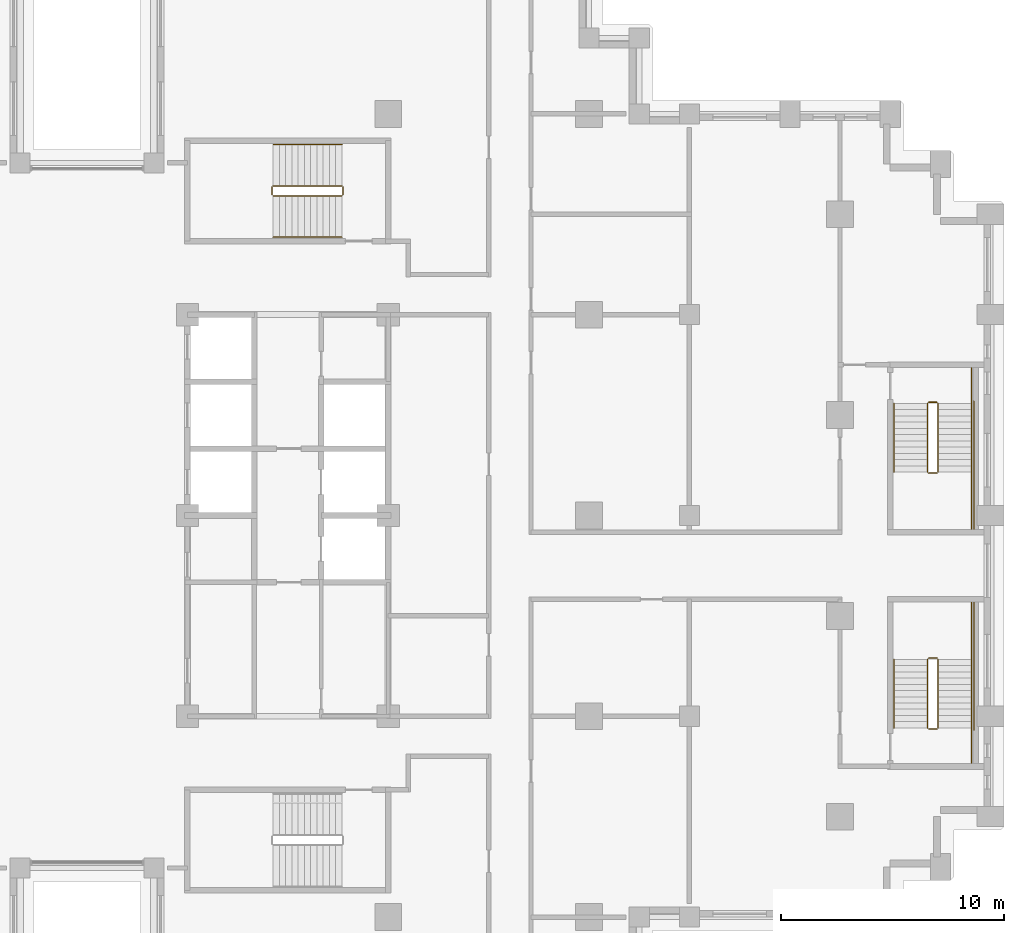
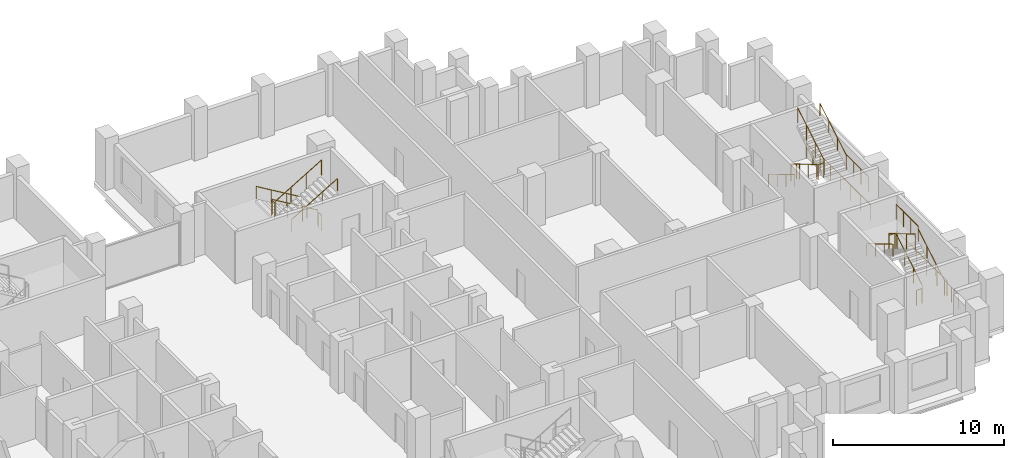
# One storey, part 15 of 15: 3 railings.
"""IFC4 building model written with IfcOpenShell, lengths in metres."""

from ifc_helpers import new_model, si_unit, direction, frame, origin, origin_2d, place, context, subcontext, project, spatial, circle, extrude, material, type_object, element, save


model = new_model("IFC4")

# Units and contexts
model_context = context("Model", 3, precision=1e-05, world=origin(), true_north=direction((0.0, 1.0)))
body_context = subcontext(model_context, "Body", "Model", "MODEL_VIEW")
ifc_project = project(units=[si_unit("LENGTHUNIT", "METRE"), si_unit("AREAUNIT", "SQUARE_METRE"), si_unit("VOLUMEUNIT", "CUBIC_METRE"), si_unit("PLANEANGLEUNIT", "RADIAN"), si_unit("MASSUNIT", "GRAM", prefix="KILO")], contexts=[model_context])

# Site, building, storey
site_placement = place(None, origin())
site = spatial("IfcSite", under=ifc_project, at=site_placement, CompositionType="ELEMENT")
building_placement = place(site_placement, origin())
building = spatial("IfcBuilding", under=site, at=building_placement, Name="Corbelhall Arena Tower", CompositionType="ELEMENT")
storey_placement = place(building_placement, frame((0.0, 0.0, 100.0)))
storey = spatial("IfcBuildingStorey", under=building, at=storey_placement, Name="L17", CompositionType="ELEMENT", Elevation=100.0)

# Railings
ifc_material = material(Name="Steel ASTM A500 Gr C", Category="steel")
railing_type = type_object("IfcRailingType", Name="IN-GD-1100", PredefinedType="GUARDRAIL", material=ifc_material)
railing_1_placement = place(storey_placement, frame((11.425048828125, 14.77490234375, 0.166748046875)))
element("IfcRailing", 1, at=railing_1_placement, inside=storey, type_object=railing_type, Name="L17 ST3 stair guards and handrails", PredefinedType="GUARDRAIL", context=body_context, shape_type="SweptSolid", body=[
    extrude(circle(Radius=0.02392578125, at=origin_2d()), frame((0.0, 0.0, 1.076171875), z_axis=(-0.859308565015, 0.0, 0.511457515432), x_axis=(0.0, -1.0, 0.0)), (0.0, 0.0, 1.0), 3.58447265625),
    extrude(circle(Radius=0.02392578125, at=origin_2d()), frame((-3.130126953125, -0.0498046875, 2.9091796875), z_axis=(0.0, -1.0, 0.0), x_axis=(1.0, 0.0, 0.0)), (0.0, 0.0, 1.0), 0.35009765625),
    extrude(circle(Radius=0.02392578125, at=origin_2d()), frame((-3.080078125, -0.449951171875, 3.076171875), z_axis=(0.859308565015, 0.0, 0.511457515432), x_axis=(0.0, 1.0, 0.0)), (0.0, 0.0, 1.0), 3.58447265625),
    extrude(circle(Radius=0.02392578125, at=origin_2d()), frame((0.050048828125, -0.0498046875, 0.9091796875), z_axis=(0.0, -1.0, 0.0), x_axis=(1.0, 0.0, 0.0)), (0.0, 0.0, 1.0), 0.35009765625),
    extrude(circle(Radius=0.02392578125, at=origin_2d()), frame((0.0, 1.85009765625, 0.8759765625), z_axis=(-0.859308565015, 0.0, 0.511457515432), x_axis=(0.0, -1.0, 0.0)), (0.0, 0.0, 1.0), 3.58447265625),
    extrude(circle(Radius=0.02392578125, at=origin_2d()), frame((-3.080078125, -2.2998046875, 2.8759765625), z_axis=(0.859308565015, 0.0, 0.511457515432), x_axis=(0.0, 1.0, 0.0)), (0.0, 0.0, 1.0), 3.58447265625),
    extrude(circle(Radius=0.02099609375, at=origin_2d()), origin(), (0.0, 0.0, 1.0), 1.052001953125),
    extrude(circle(Radius=0.02099609375, at=origin_2d()), frame((-1.026611328125, 0.0, 0.611083984375)), (0.0, 0.0, 1.0), 1.052001953125),
    extrude(circle(Radius=0.02099609375, at=origin_2d()), frame((-2.053466796875, 0.0, 1.22216796875)), (0.0, 0.0, 1.0), 1.052001953125),
    extrude(circle(Radius=0.02099609375, at=origin_2d()), frame((-3.080078125, 0.0, 1.833251953125)), (0.0, 0.0, 1.0), 1.052001953125),
    extrude(circle(Radius=0.02099609375, at=origin_2d()), frame((-3.130126953125, -0.0498046875, 1.833251953125)), (0.0, 0.0, 1.0), 1.052001953125),
    extrude(circle(Radius=0.02099609375, at=origin_2d()), frame((-3.130126953125, -0.39990234375, 1.833251953125)), (0.0, 0.0, 1.0), 1.052001953125),
    extrude(circle(Radius=0.02099609375, at=origin_2d()), frame((-3.080078125, -0.449951171875, 2.0)), (0.0, 0.0, 1.0), 1.052001953125),
    extrude(circle(Radius=0.02099609375, at=origin_2d()), frame((-2.053466796875, -0.449951171875, 2.611083984375)), (0.0, 0.0, 1.0), 1.052001953125),
    extrude(circle(Radius=0.02099609375, at=origin_2d()), frame((-1.026611328125, -0.449951171875, 3.22216796875)), (0.0, 0.0, 1.0), 1.052001953125),
    extrude(circle(Radius=0.02099609375, at=origin_2d()), frame((0.0, -0.449951171875, 3.833251953125)), (0.0, 0.0, 1.0), 1.052001953125),
    extrude(circle(Radius=0.02099609375, at=origin_2d()), frame((0.050048828125, -0.0498046875, -0.166748046875)), (0.0, 0.0, 1.0), 1.052001953125),
    extrude(circle(Radius=0.02099609375, at=origin_2d()), frame((0.050048828125, -0.39990234375, -0.166748046875)), (0.0, 0.0, 1.0), 1.052001953125),
    extrude(circle(Radius=0.02099609375, at=origin_2d()), frame((0.0, 1.85009765625, 0.0)), (0.0, 0.0, 1.0), 0.851806640625),
    extrude(circle(Radius=0.02099609375, at=origin_2d()), frame((-1.026611328125, 1.85009765625, 0.611083984375)), (0.0, 0.0, 1.0), 0.851806640625),
    extrude(circle(Radius=0.02099609375, at=origin_2d()), frame((-2.053466796875, 1.85009765625, 1.22216796875)), (0.0, 0.0, 1.0), 0.851806640625),
    extrude(circle(Radius=0.02099609375, at=origin_2d()), frame((-3.080078125, 1.85009765625, 1.833251953125)), (0.0, 0.0, 1.0), 0.851806640625),
    extrude(circle(Radius=0.02099609375, at=origin_2d()), frame((-3.080078125, -2.2998046875, 2.0)), (0.0, 0.0, 1.0), 0.851806640625),
    extrude(circle(Radius=0.02099609375, at=origin_2d()), frame((-2.053466796875, -2.2998046875, 2.611083984375)), (0.0, 0.0, 1.0), 0.851806640625),
    extrude(circle(Radius=0.02099609375, at=origin_2d()), frame((-1.026611328125, -2.2998046875, 3.22216796875)), (0.0, 0.0, 1.0), 0.851806640625),
    extrude(circle(Radius=0.02099609375, at=origin_2d()), frame((0.0, -2.2998046875, 3.833251953125)), (0.0, 0.0, 1.0), 0.851806640625),
])
railing_2_placement = place(storey_placement, frame((38.14990234375, -9.52490234375, 0.166748046875)))
element("IfcRailing", 2, at=railing_2_placement, inside=storey, type_object=railing_type, Name="L17 SD1 stair guards and handrails", PredefinedType="GUARDRAIL", context=body_context, shape_type="SweptSolid", body=[
    extrude(circle(Radius=0.02392578125, at=origin_2d()), frame((0.0, 0.0, 1.076171875), z_axis=(0.0, 0.859290745958, 0.51148745235), x_axis=(-1.0, 0.0, 0.0)), (0.0, 0.0, 1.0), 3.584228515625),
    extrude(circle(Radius=0.02392578125, at=origin_2d()), frame((-0.0498046875, 3.1298828125, 2.9091796875), z_axis=(-1.0, 0.0, 0.0), x_axis=(0.0, -1.0, 0.0)), (0.0, 0.0, 1.0), 0.375),
    extrude(circle(Radius=0.02392578125, at=origin_2d()), frame((1.5, 3.079833984375, 2.9091796875), z_axis=(0.0, 1.0, 0.0), x_axis=(-1.0, 0.0, 0.0)), (0.0, 0.0, 1.0), 2.570068359375),
    extrude(circle(Radius=0.02392578125, at=origin_2d()), frame((-0.474853515625, 3.079833984375, 3.076171875), z_axis=(0.0, -0.859290745958, 0.51148745235), x_axis=(1.0, 0.0, 0.0)), (0.0, 0.0, 1.0), 3.584228515625),
    extrude(circle(Radius=0.02392578125, at=origin_2d()), frame((-0.0498046875, -0.050048828125, 0.9091796875), z_axis=(-1.0, 0.0, 0.0), x_axis=(0.0, -1.0, 0.0)), (0.0, 0.0, 1.0), 0.375),
    extrude(circle(Radius=0.02392578125, at=origin_2d()), frame((1.5, -1.60009765625, 0.9091796875), z_axis=(0.0, 1.0, 0.0), x_axis=(-1.0, 0.0, 0.0)), (0.0, 0.0, 1.0), 1.60009765625),
    extrude(circle(Radius=0.02392578125, at=origin_2d()), frame((1.60009765625, -0.10009765625, 0.9091796875), z_axis=(0.0, 1.0, 0.0), x_axis=(-1.0, 0.0, 0.0)), (0.0, 0.0, 1.0), 5.85009765625),
    extrude(circle(Radius=0.02392578125, at=origin_2d()), frame((1.5, 0.0, 0.8759765625), z_axis=(0.0, 0.859290745958, 0.51148745235), x_axis=(-1.0, 0.0, 0.0)), (0.0, 0.0, 1.0), 3.584228515625),
    extrude(circle(Radius=0.02392578125, at=origin_2d()), frame((-1.974853515625, 3.079833984375, 2.8759765625), z_axis=(0.0, -0.859290745958, 0.51148745235), x_axis=(1.0, 0.0, 0.0)), (0.0, 0.0, 1.0), 3.584228515625),
    extrude(circle(Radius=0.02099609375, at=origin_2d()), origin(), (0.0, 0.0, 1.0), 1.052001953125),
    extrude(circle(Radius=0.02099609375, at=origin_2d()), frame((0.0, 1.026611328125, 0.611083984375)), (0.0, 0.0, 1.0), 1.052001953125),
    extrude(circle(Radius=0.02099609375, at=origin_2d()), frame((0.0, 2.05322265625, 1.22216796875)), (0.0, 0.0, 1.0), 1.052001953125),
    extrude(circle(Radius=0.02099609375, at=origin_2d()), frame((0.0, 3.079833984375, 1.833251953125)), (0.0, 0.0, 1.0), 1.052001953125),
    extrude(circle(Radius=0.02099609375, at=origin_2d()), frame((-0.0498046875, 3.1298828125, 1.833251953125)), (0.0, 0.0, 1.0), 1.052001953125),
    extrude(circle(Radius=0.02099609375, at=origin_2d()), frame((-0.4248046875, 3.1298828125, 1.833251953125)), (0.0, 0.0, 1.0), 1.052001953125),
    extrude(circle(Radius=0.02099609375, at=origin_2d()), frame((1.5, 3.079833984375, 1.833251953125)), (0.0, 0.0, 1.0), 1.052001953125),
    extrude(circle(Radius=0.02099609375, at=origin_2d()), frame((1.5, 3.9365234375, 1.833251953125)), (0.0, 0.0, 1.0), 1.052001953125),
    extrude(circle(Radius=0.02099609375, at=origin_2d()), frame((1.5, 4.793212890625, 1.833251953125)), (0.0, 0.0, 1.0), 1.052001953125),
    extrude(circle(Radius=0.02099609375, at=origin_2d()), frame((1.5, 5.64990234375, 1.833251953125)), (0.0, 0.0, 1.0), 1.052001953125),
    extrude(circle(Radius=0.02099609375, at=origin_2d()), frame((-0.474853515625, 3.079833984375, 2.0)), (0.0, 0.0, 1.0), 1.052001953125),
    extrude(circle(Radius=0.02099609375, at=origin_2d()), frame((-0.474853515625, 2.05322265625, 2.611083984375)), (0.0, 0.0, 1.0), 1.052001953125),
    extrude(circle(Radius=0.02099609375, at=origin_2d()), frame((-0.474853515625, 1.026611328125, 3.22216796875)), (0.0, 0.0, 1.0), 1.052001953125),
    extrude(circle(Radius=0.02099609375, at=origin_2d()), frame((-0.474853515625, 0.0, 3.833251953125)), (0.0, 0.0, 1.0), 1.052001953125),
    extrude(circle(Radius=0.02099609375, at=origin_2d()), frame((-0.0498046875, -0.050048828125, -0.166748046875)), (0.0, 0.0, 1.0), 1.052001953125),
    extrude(circle(Radius=0.02099609375, at=origin_2d()), frame((-0.4248046875, -0.050048828125, -0.166748046875)), (0.0, 0.0, 1.0), 1.052001953125),
    extrude(circle(Radius=0.02099609375, at=origin_2d()), frame((1.5, -1.60009765625, -0.166748046875)), (0.0, 0.0, 1.0), 1.052001953125),
    extrude(circle(Radius=0.02099609375, at=origin_2d()), frame((1.5, -0.800048828125, -0.166748046875)), (0.0, 0.0, 1.0), 1.052001953125),
    extrude(circle(Radius=0.02099609375, at=origin_2d()), frame((1.5, 0.0, -0.166748046875)), (0.0, 0.0, 1.0), 1.052001953125),
    extrude(circle(Radius=0.02099609375, at=origin_2d()), frame((1.60009765625, -0.10009765625, -0.166748046875)), (0.0, 0.0, 1.0), 1.052001953125),
    extrude(circle(Radius=0.02099609375, at=origin_2d()), frame((1.60009765625, 1.06982421875, -0.166748046875)), (0.0, 0.0, 1.0), 1.052001953125),
    extrude(circle(Radius=0.02099609375, at=origin_2d()), frame((1.60009765625, 2.239990234375, -0.166748046875)), (0.0, 0.0, 1.0), 1.052001953125),
    extrude(circle(Radius=0.02099609375, at=origin_2d()), frame((1.60009765625, 3.409912109375, -0.166748046875)), (0.0, 0.0, 1.0), 1.052001953125),
    extrude(circle(Radius=0.02099609375, at=origin_2d()), frame((1.60009765625, 4.580078125, -0.166748046875)), (0.0, 0.0, 1.0), 1.052001953125),
    extrude(circle(Radius=0.02099609375, at=origin_2d()), frame((1.60009765625, 5.75, -0.166748046875)), (0.0, 0.0, 1.0), 1.052001953125),
    extrude(circle(Radius=0.02099609375, at=origin_2d()), frame((1.5, 0.0, 0.0)), (0.0, 0.0, 1.0), 0.851806640625),
    extrude(circle(Radius=0.02099609375, at=origin_2d()), frame((1.5, 1.026611328125, 0.611083984375)), (0.0, 0.0, 1.0), 0.851806640625),
    extrude(circle(Radius=0.02099609375, at=origin_2d()), frame((1.5, 2.05322265625, 1.22216796875)), (0.0, 0.0, 1.0), 0.851806640625),
    extrude(circle(Radius=0.02099609375, at=origin_2d()), frame((-1.974853515625, 3.079833984375, 2.0)), (0.0, 0.0, 1.0), 0.851806640625),
    extrude(circle(Radius=0.02099609375, at=origin_2d()), frame((-1.974853515625, 2.05322265625, 2.611083984375)), (0.0, 0.0, 1.0), 0.851806640625),
    extrude(circle(Radius=0.02099609375, at=origin_2d()), frame((-1.974853515625, 1.026611328125, 3.22216796875)), (0.0, 0.0, 1.0), 0.851806640625),
    extrude(circle(Radius=0.02099609375, at=origin_2d()), frame((-1.974853515625, 0.0, 3.833251953125)), (0.0, 0.0, 1.0), 0.851806640625),
])
railing_3_placement = place(storey_placement, frame((37.675048828125, 5.02490234375, 0.166748046875)))
element("IfcRailing", 3, at=railing_3_placement, inside=storey, type_object=railing_type, Name="L17 SD2 stair guards and handrails", PredefinedType="GUARDRAIL", context=body_context, shape_type="SweptSolid", body=[
    extrude(circle(Radius=0.02392578125, at=origin_2d()), frame((0.0, 0.0, 1.076171875), z_axis=(0.0, -0.859290745958, 0.51148745235), x_axis=(1.0, 0.0, 0.0)), (0.0, 0.0, 1.0), 3.584228515625),
    extrude(circle(Radius=0.02392578125, at=origin_2d()), frame((0.050048828125, -3.1298828125, 2.9091796875), z_axis=(1.0, 0.0, 0.0), x_axis=(0.0, 1.0, 0.0)), (0.0, 0.0, 1.0), 0.375),
    extrude(circle(Radius=0.02392578125, at=origin_2d()), frame((1.974853515625, -3.079833984375, 2.9091796875), z_axis=(0.0, -1.0, 0.0), x_axis=(1.0, 0.0, 0.0)), (0.0, 0.0, 1.0), 2.570068359375),
    extrude(circle(Radius=0.02392578125, at=origin_2d()), frame((0.474853515625, -3.079833984375, 3.076171875), z_axis=(0.0, 0.859290745958, 0.51148745235), x_axis=(-1.0, 0.0, 0.0)), (0.0, 0.0, 1.0), 3.584228515625),
    extrude(circle(Radius=0.02392578125, at=origin_2d()), frame((0.050048828125, 0.050048828125, 0.9091796875), z_axis=(1.0, 0.0, 0.0), x_axis=(0.0, 1.0, 0.0)), (0.0, 0.0, 1.0), 0.375),
    extrude(circle(Radius=0.02392578125, at=origin_2d()), frame((1.974853515625, 1.60009765625, 0.9091796875), z_axis=(0.0, -1.0, 0.0), x_axis=(1.0, 0.0, 0.0)), (0.0, 0.0, 1.0), 1.60009765625),
    extrude(circle(Radius=0.02392578125, at=origin_2d()), frame((2.074951171875, 0.10009765625, 0.9091796875), z_axis=(0.0, -1.0, 0.0), x_axis=(1.0, 0.0, 0.0)), (0.0, 0.0, 1.0), 5.85009765625),
    extrude(circle(Radius=0.02392578125, at=origin_2d()), frame((-1.5, 0.0, 0.8759765625), z_axis=(0.0, -0.859290745958, 0.51148745235), x_axis=(1.0, 0.0, 0.0)), (0.0, 0.0, 1.0), 3.584228515625),
    extrude(circle(Radius=0.02392578125, at=origin_2d()), frame((1.974853515625, -3.079833984375, 2.8759765625), z_axis=(0.0, 0.859290745958, 0.51148745235), x_axis=(-1.0, 0.0, 0.0)), (0.0, 0.0, 1.0), 3.584228515625),
    extrude(circle(Radius=0.02099609375, at=origin_2d()), origin(), (0.0, 0.0, 1.0), 1.052001953125),
    extrude(circle(Radius=0.02099609375, at=origin_2d()), frame((0.0, -1.026611328125, 0.611083984375)), (0.0, 0.0, 1.0), 1.052001953125),
    extrude(circle(Radius=0.02099609375, at=origin_2d()), frame((0.0, -2.05322265625, 1.22216796875)), (0.0, 0.0, 1.0), 1.052001953125),
    extrude(circle(Radius=0.02099609375, at=origin_2d()), frame((0.0, -3.079833984375, 1.833251953125)), (0.0, 0.0, 1.0), 1.052001953125),
    extrude(circle(Radius=0.02099609375, at=origin_2d()), frame((0.050048828125, -3.1298828125, 1.833251953125)), (0.0, 0.0, 1.0), 1.052001953125),
    extrude(circle(Radius=0.02099609375, at=origin_2d()), frame((0.425048828125, -3.1298828125, 1.833251953125)), (0.0, 0.0, 1.0), 1.052001953125),
    extrude(circle(Radius=0.02099609375, at=origin_2d()), frame((1.974853515625, -3.079833984375, 1.833251953125)), (0.0, 0.0, 1.0), 1.052001953125),
    extrude(circle(Radius=0.02099609375, at=origin_2d()), frame((1.974853515625, -3.9365234375, 1.833251953125)), (0.0, 0.0, 1.0), 1.052001953125),
    extrude(circle(Radius=0.02099609375, at=origin_2d()), frame((1.974853515625, -4.793212890625, 1.833251953125)), (0.0, 0.0, 1.0), 1.052001953125),
    extrude(circle(Radius=0.02099609375, at=origin_2d()), frame((1.974853515625, -5.64990234375, 1.833251953125)), (0.0, 0.0, 1.0), 1.052001953125),
    extrude(circle(Radius=0.02099609375, at=origin_2d()), frame((0.474853515625, -3.079833984375, 2.0)), (0.0, 0.0, 1.0), 1.052001953125),
    extrude(circle(Radius=0.02099609375, at=origin_2d()), frame((0.474853515625, -2.05322265625, 2.611083984375)), (0.0, 0.0, 1.0), 1.052001953125),
    extrude(circle(Radius=0.02099609375, at=origin_2d()), frame((0.474853515625, -1.026611328125, 3.22216796875)), (0.0, 0.0, 1.0), 1.052001953125),
    extrude(circle(Radius=0.02099609375, at=origin_2d()), frame((0.474853515625, 0.0, 3.833251953125)), (0.0, 0.0, 1.0), 1.052001953125),
    extrude(circle(Radius=0.02099609375, at=origin_2d()), frame((0.050048828125, 0.050048828125, -0.166748046875)), (0.0, 0.0, 1.0), 1.052001953125),
    extrude(circle(Radius=0.02099609375, at=origin_2d()), frame((0.425048828125, 0.050048828125, -0.166748046875)), (0.0, 0.0, 1.0), 1.052001953125),
    extrude(circle(Radius=0.02099609375, at=origin_2d()), frame((1.974853515625, 1.60009765625, -0.166748046875)), (0.0, 0.0, 1.0), 1.052001953125),
    extrude(circle(Radius=0.02099609375, at=origin_2d()), frame((1.974853515625, 0.800048828125, -0.166748046875)), (0.0, 0.0, 1.0), 1.052001953125),
    extrude(circle(Radius=0.02099609375, at=origin_2d()), frame((1.974853515625, 0.0, -0.166748046875)), (0.0, 0.0, 1.0), 1.052001953125),
    extrude(circle(Radius=0.02099609375, at=origin_2d()), frame((2.074951171875, 0.10009765625, -0.166748046875)), (0.0, 0.0, 1.0), 1.052001953125),
    extrude(circle(Radius=0.02099609375, at=origin_2d()), frame((2.074951171875, -1.06982421875, -0.166748046875)), (0.0, 0.0, 1.0), 1.052001953125),
    extrude(circle(Radius=0.02099609375, at=origin_2d()), frame((2.074951171875, -2.239990234375, -0.166748046875)), (0.0, 0.0, 1.0), 1.052001953125),
    extrude(circle(Radius=0.02099609375, at=origin_2d()), frame((2.074951171875, -3.409912109375, -0.166748046875)), (0.0, 0.0, 1.0), 1.052001953125),
    extrude(circle(Radius=0.02099609375, at=origin_2d()), frame((2.074951171875, -4.580078125, -0.166748046875)), (0.0, 0.0, 1.0), 1.052001953125),
    extrude(circle(Radius=0.02099609375, at=origin_2d()), frame((2.074951171875, -5.75, -0.166748046875)), (0.0, 0.0, 1.0), 1.052001953125),
    extrude(circle(Radius=0.02099609375, at=origin_2d()), frame((-1.5, 0.0, 0.0)), (0.0, 0.0, 1.0), 0.851806640625),
    extrude(circle(Radius=0.02099609375, at=origin_2d()), frame((-1.5, -1.026611328125, 0.611083984375)), (0.0, 0.0, 1.0), 0.851806640625),
    extrude(circle(Radius=0.02099609375, at=origin_2d()), frame((-1.5, -2.05322265625, 1.22216796875)), (0.0, 0.0, 1.0), 0.851806640625),
    extrude(circle(Radius=0.02099609375, at=origin_2d()), frame((-1.5, -3.079833984375, 1.833251953125)), (0.0, 0.0, 1.0), 0.851806640625),
    extrude(circle(Radius=0.02099609375, at=origin_2d()), frame((1.974853515625, -3.079833984375, 2.0)), (0.0, 0.0, 1.0), 0.851806640625),
    extrude(circle(Radius=0.02099609375, at=origin_2d()), frame((1.974853515625, -2.05322265625, 2.611083984375)), (0.0, 0.0, 1.0), 0.851806640625),
    extrude(circle(Radius=0.02099609375, at=origin_2d()), frame((1.974853515625, -1.026611328125, 3.22216796875)), (0.0, 0.0, 1.0), 0.851806640625),
    extrude(circle(Radius=0.02099609375, at=origin_2d()), frame((1.974853515625, 0.0, 3.833251953125)), (0.0, 0.0, 1.0), 0.851806640625),
])

save(model, "model.ifc")
